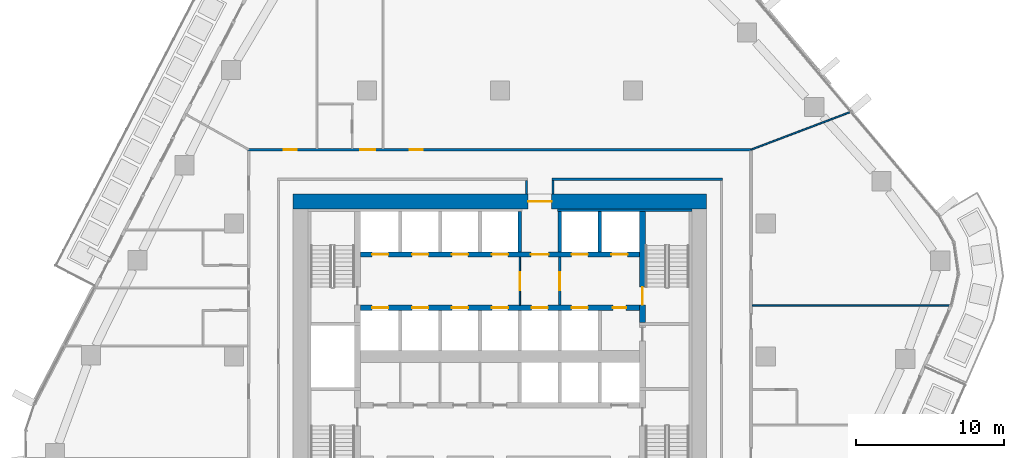
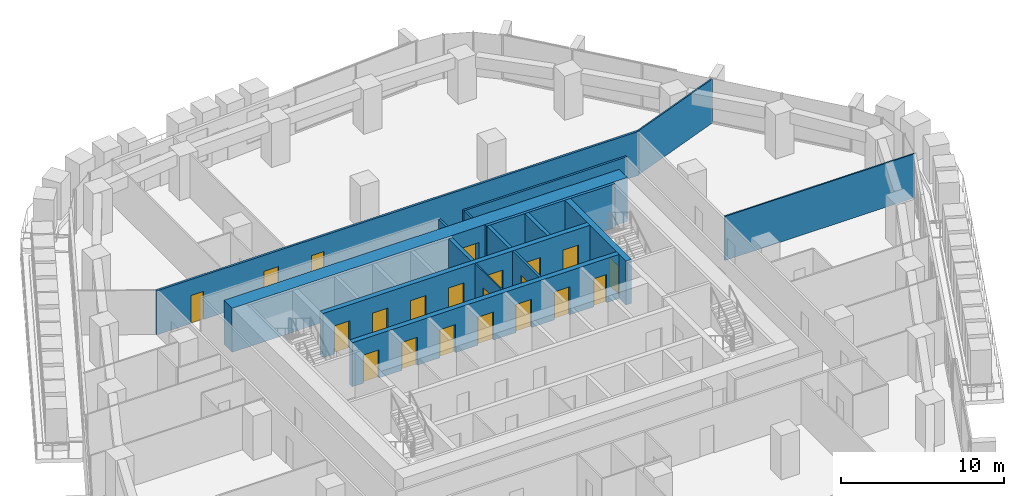
# One storey, part 16 of 23: 21 doors, 16 walls, 21 openings.
"""IFC4 building model written with IfcOpenShell, lengths in metres."""

from ifc_helpers import new_model, si_unit, direction, frame, frame_2d, origin, place, context, subcontext, project, spatial, rectangle, extrude, material, layer, layer_set, type_object, element, fill, save


model = new_model("IFC4")

# Units and contexts
model_context = context("Model", 3, precision=1e-05, world=origin(), true_north=direction((0.0, 1.0)))
body_context = subcontext(model_context, "Body", "Model", "MODEL_VIEW")
ifc_project = project(units=[si_unit("LENGTHUNIT", "METRE"), si_unit("AREAUNIT", "SQUARE_METRE"), si_unit("VOLUMEUNIT", "CUBIC_METRE"), si_unit("PLANEANGLEUNIT", "RADIAN"), si_unit("MASSUNIT", "GRAM", prefix="KILO")], contexts=[model_context])

# Site, building, storey
site_placement = place(None, origin())
site = spatial("IfcSite", under=ifc_project, at=site_placement, CompositionType="ELEMENT")
building_placement = place(site_placement, origin())
building = spatial("IfcBuilding", under=site, at=building_placement, Name="Dongbaek Canopy Tower", CompositionType="ELEMENT")
storey_placement = place(building_placement, frame((0.0, 0.0, 135.89990234375)))
storey = spatial("IfcBuildingStorey", under=building, at=storey_placement, Name="L30", CompositionType="ELEMENT", Elevation=135.89990234375)

# Wall, openings, doors
ifc_material_1 = material(Name="Concrete C60/75", Category="concrete")
ifc_layer_1 = layer(ifc_material_1, 0.35009765625)
ifc_layer_set_1 = layer_set([ifc_layer_1], Name="Core lobby wall 350 Concrete C60/75")
wall_type_1 = type_object("IfcWallType", Name="Core lobby wall 350 Concrete C60/75", PredefinedType="SHEAR", material=ifc_layer_set_1)
wall_1_placement = place(storey_placement, frame((-9.449951171875, 6.89990234375, 0.0), z_axis=(0.0, 0.0, 1.0), x_axis=(1.0, 0.0, 0.0)))
wall_1 = element("IfcWall", 1, at=wall_1_placement, inside=storey, type_object=wall_type_1, Name="Core wall", PredefinedType="SHEAR", context=body_context, shape_type="SweptSolid", body=[
    extrude(rectangle(XDim=18.89990234375, YDim=0.35009765625, at=frame_2d((9.449951171875, 0.0))), origin(), (0.0, 0.0, 1.0), 3.300048828125),
])
opening_1_placement = place(wall_1_placement, frame((0.800048828125, 0.0, 0.0)))
opening_1 = element("IfcOpeningElement", 2, at=opening_1_placement, cuts=wall_1, Name="Opening L30-D026", PredefinedType="OPENING", context=body_context, shape_type="SweptSolid", body=[
    extrude(rectangle(XDim=1.10009765625, YDim=2.10009765625, at=frame_2d((0.550048828125, 1.050048828125))), frame((0.0, 0.18505859375, 0.0), z_axis=(0.0, -1.0, 0.0), x_axis=(1.0, 0.0, 0.0)), (0.0, 0.0, 1.0), 0.3701171875),
])
opening_2_placement = place(wall_1_placement, frame((3.5, 0.0, 0.0)))
opening_2 = element("IfcOpeningElement", 3, at=opening_2_placement, cuts=wall_1, Name="Opening L30-D027", PredefinedType="OPENING", context=body_context, shape_type="SweptSolid", body=[
    extrude(rectangle(XDim=1.10009765625, YDim=2.10009765625, at=frame_2d((0.550048828125, 1.050048828125))), frame((0.0, 0.18505859375, 0.0), z_axis=(0.0, -1.0, 0.0), x_axis=(1.0, 0.0, 0.0)), (0.0, 0.0, 1.0), 0.3701171875),
])
opening_3_placement = place(wall_1_placement, frame((6.199951171875, 0.0, 0.0)))
opening_3 = element("IfcOpeningElement", 4, at=opening_3_placement, cuts=wall_1, Name="Opening L30-D028", PredefinedType="OPENING", context=body_context, shape_type="SweptSolid", body=[
    extrude(rectangle(XDim=1.10009765625, YDim=2.10009765625, at=frame_2d((0.550048828125, 1.050048828125))), frame((0.0, 0.18505859375, 0.0), z_axis=(0.0, -1.0, 0.0), x_axis=(1.0, 0.0, 0.0)), (0.0, 0.0, 1.0), 0.3701171875),
])
opening_4_placement = place(wall_1_placement, frame((8.89990234375, 0.0, 0.0)))
opening_4 = element("IfcOpeningElement", 5, at=opening_4_placement, cuts=wall_1, Name="Opening L30-D029", PredefinedType="OPENING", context=body_context, shape_type="SweptSolid", body=[
    extrude(rectangle(XDim=1.10009765625, YDim=2.10009765625, at=frame_2d((0.550048828125, 1.050048828125))), frame((0.0, 0.18505859375, 0.0), z_axis=(0.0, -1.0, 0.0), x_axis=(1.0, 0.0, 0.0)), (0.0, 0.0, 1.0), 0.3701171875),
])
opening_5_placement = place(wall_1_placement, frame((11.550048828125, 0.0, 0.0)))
opening_5 = element("IfcOpeningElement", 6, at=opening_5_placement, cuts=wall_1, Name="Opening L30-D031", PredefinedType="OPENING", context=body_context, shape_type="SweptSolid", body=[
    extrude(rectangle(XDim=1.199951171875, YDim=2.10009765625, at=frame_2d((0.60009765625, 1.050048828125))), frame((0.0, 0.18505859375, 0.0), z_axis=(0.0, -1.0, 0.0), x_axis=(1.0, 0.0, 0.0)), (0.0, 0.0, 1.0), 0.3701171875),
])
opening_6_placement = place(wall_1_placement, frame((14.300048828125, 0.0, 0.0)))
opening_6 = element("IfcOpeningElement", 7, at=opening_6_placement, cuts=wall_1, Name="Opening L30-D032", PredefinedType="OPENING", context=body_context, shape_type="SweptSolid", body=[
    extrude(rectangle(XDim=1.10009765625, YDim=2.10009765625, at=frame_2d((0.550048828125, 1.050048828125))), frame((0.0, 0.18505859375, 0.0), z_axis=(0.0, -1.0, 0.0), x_axis=(1.0, 0.0, 0.0)), (0.0, 0.0, 1.0), 0.3701171875),
])
opening_7_placement = place(wall_1_placement, frame((17.0, 0.0, 0.0)))
opening_7 = element("IfcOpeningElement", 8, at=opening_7_placement, cuts=wall_1, Name="Opening L30-D033", PredefinedType="OPENING", context=body_context, shape_type="SweptSolid", body=[
    extrude(rectangle(XDim=1.10009765625, YDim=2.10009765625, at=frame_2d((0.550048828125, 1.050048828125))), frame((0.0, 0.18505859375, 0.0), z_axis=(0.0, -1.0, 0.0), x_axis=(1.0, 0.0, 0.0)), (0.0, 0.0, 1.0), 0.3701171875),
])
ifc_material_2 = material(Name="Steel", Category="steel")
door_type_1 = type_object("IfcDoorType", Name="Fire lobby door 1200 x 2100", OperationType="SINGLE_SWING_LEFT", PredefinedType="DOOR", material=ifc_material_2)
door_1_placement = place(opening_5_placement, origin())
door_1 = element("IfcDoor", 9, at=door_1_placement, inside=storey, type_object=door_type_1, Name="Door L30-D031", OperationType="SINGLE_SWING_LEFT", OverallHeight=2.10009765625, OverallWidth=1.199951171875, PredefinedType="DOOR", context=body_context, shape_type="SweptSolid", body=[
    extrude(rectangle(XDim=1.199951171875, YDim=2.10009765625, at=frame_2d((0.60009765625, 1.050048828125))), frame((0.0, 0.02490234375, 0.0), z_axis=(0.0, -1.0, 0.0), x_axis=(1.0, 0.0, 0.0)), (0.0, 0.0, 1.0), 0.050048828125),
])
fill(opening_5, door_1)
ifc_material_3 = material(Name="Stainless steel", Category="steel")
door_type_2 = type_object("IfcDoorType", Name="Lift landing door 1100 x 2100", OperationType="DOUBLE_DOOR_SLIDING", PredefinedType="DOOR", material=ifc_material_3)
door_2_placement = place(opening_1_placement, origin())
door_2 = element("IfcDoor", 10, at=door_2_placement, inside=storey, type_object=door_type_2, Name="Landing door LR1", OperationType="DOUBLE_DOOR_SLIDING", OverallHeight=2.10009765625, OverallWidth=1.10009765625, PredefinedType="DOOR", context=body_context, shape_type="SweptSolid", body=[
    extrude(rectangle(XDim=1.10009765625, YDim=2.10009765625, at=frame_2d((0.550048828125, 1.050048828125))), frame((0.0, 0.02490234375, 0.0), z_axis=(0.0, -1.0, 0.0), x_axis=(1.0, 0.0, 0.0)), (0.0, 0.0, 1.0), 0.050048828125),
])
fill(opening_1, door_2)
door_3_placement = place(opening_2_placement, origin())
door_3 = element("IfcDoor", 11, at=door_3_placement, inside=storey, type_object=door_type_2, Name="Landing door LR2", OperationType="DOUBLE_DOOR_SLIDING", OverallHeight=2.10009765625, OverallWidth=1.10009765625, PredefinedType="DOOR", context=body_context, shape_type="SweptSolid", body=[
    extrude(rectangle(XDim=1.10009765625, YDim=2.10009765625, at=frame_2d((0.550048828125, 1.050048828125))), frame((0.0, 0.02490234375, 0.0), z_axis=(0.0, -1.0, 0.0), x_axis=(1.0, 0.0, 0.0)), (0.0, 0.0, 1.0), 0.050048828125),
])
fill(opening_2, door_3)
door_4_placement = place(opening_3_placement, origin())
door_4 = element("IfcDoor", 12, at=door_4_placement, inside=storey, type_object=door_type_2, Name="Landing door LR3", OperationType="DOUBLE_DOOR_SLIDING", OverallHeight=2.10009765625, OverallWidth=1.10009765625, PredefinedType="DOOR", context=body_context, shape_type="SweptSolid", body=[
    extrude(rectangle(XDim=1.10009765625, YDim=2.10009765625, at=frame_2d((0.550048828125, 1.050048828125))), frame((0.0, 0.02490234375, 0.0), z_axis=(0.0, -1.0, 0.0), x_axis=(1.0, 0.0, 0.0)), (0.0, 0.0, 1.0), 0.050048828125),
])
fill(opening_3, door_4)
door_5_placement = place(opening_4_placement, origin())
door_5 = element("IfcDoor", 13, at=door_5_placement, inside=storey, type_object=door_type_2, Name="Landing door LR4", OperationType="DOUBLE_DOOR_SLIDING", OverallHeight=2.10009765625, OverallWidth=1.10009765625, PredefinedType="DOOR", context=body_context, shape_type="SweptSolid", body=[
    extrude(rectangle(XDim=1.10009765625, YDim=2.10009765625, at=frame_2d((0.550048828125, 1.050048828125))), frame((0.0, 0.02490234375, 0.0), z_axis=(0.0, -1.0, 0.0), x_axis=(1.0, 0.0, 0.0)), (0.0, 0.0, 1.0), 0.050048828125),
])
fill(opening_4, door_5)
door_6_placement = place(opening_6_placement, origin())
door_6 = element("IfcDoor", 14, at=door_6_placement, inside=storey, type_object=door_type_2, Name="Landing door FF1", OperationType="DOUBLE_DOOR_SLIDING", OverallHeight=2.10009765625, OverallWidth=1.10009765625, PredefinedType="DOOR", context=body_context, shape_type="SweptSolid", body=[
    extrude(rectangle(XDim=1.10009765625, YDim=2.10009765625, at=frame_2d((0.550048828125, 1.050048828125))), frame((0.0, 0.02490234375, 0.0), z_axis=(0.0, -1.0, 0.0), x_axis=(1.0, 0.0, 0.0)), (0.0, 0.0, 1.0), 0.050048828125),
])
fill(opening_6, door_6)
door_7_placement = place(opening_7_placement, origin())
door_7 = element("IfcDoor", 15, at=door_7_placement, inside=storey, type_object=door_type_2, Name="Landing door FF2", OperationType="DOUBLE_DOOR_SLIDING", OverallHeight=2.10009765625, OverallWidth=1.10009765625, PredefinedType="DOOR", context=body_context, shape_type="SweptSolid", body=[
    extrude(rectangle(XDim=1.10009765625, YDim=2.10009765625, at=frame_2d((0.550048828125, 1.050048828125))), frame((0.0, 0.02490234375, 0.0), z_axis=(0.0, -1.0, 0.0), x_axis=(1.0, 0.0, 0.0)), (0.0, 0.0, 1.0), 0.050048828125),
])
fill(opening_7, door_7)

wall_2_placement = place(storey_placement, frame((9.449951171875, 3.300048828125, 0.0), z_axis=(0.0, 0.0, 1.0), x_axis=(-1.0, 0.0, 0.0)))
wall_2 = element("IfcWall", 16, at=wall_2_placement, inside=storey, type_object=wall_type_1, Name="Core wall", PredefinedType="SHEAR", context=body_context, shape_type="SweptSolid", body=[
    extrude(rectangle(XDim=18.89990234375, YDim=0.35009765625, at=frame_2d((9.449951171875, 0.0))), origin(), (0.0, 0.0, 1.0), 3.300048828125),
])
opening_8_placement = place(wall_2_placement, frame((17.0, 0.0, 0.0)))
opening_8 = element("IfcOpeningElement", 17, at=opening_8_placement, cuts=wall_2, Name="Opening L30-D034", PredefinedType="OPENING", context=body_context, shape_type="SweptSolid", body=[
    extrude(rectangle(XDim=1.10009765625, YDim=2.10009765625, at=frame_2d((0.550048828125, 1.050048828125))), frame((0.0, 0.18505859375, 0.0), z_axis=(0.0, -1.0, 0.0), x_axis=(1.0, 0.0, 0.0)), (0.0, 0.0, 1.0), 0.3701171875),
])
opening_9_placement = place(wall_2_placement, frame((14.300048828125, 0.0, 0.0)))
opening_9 = element("IfcOpeningElement", 18, at=opening_9_placement, cuts=wall_2, Name="Opening L30-D035", PredefinedType="OPENING", context=body_context, shape_type="SweptSolid", body=[
    extrude(rectangle(XDim=1.10009765625, YDim=2.10009765625, at=frame_2d((0.550048828125, 1.050048828125))), frame((0.0, 0.18505859375, 0.0), z_axis=(0.0, -1.0, 0.0), x_axis=(1.0, 0.0, 0.0)), (0.0, 0.0, 1.0), 0.3701171875),
])
opening_10_placement = place(wall_2_placement, frame((11.60009765625, 0.0, 0.0)))
opening_10 = element("IfcOpeningElement", 19, at=opening_10_placement, cuts=wall_2, Name="Opening L30-D036", PredefinedType="OPENING", context=body_context, shape_type="SweptSolid", body=[
    extrude(rectangle(XDim=1.10009765625, YDim=2.10009765625, at=frame_2d((0.550048828125, 1.050048828125))), frame((0.0, 0.18505859375, 0.0), z_axis=(0.0, -1.0, 0.0), x_axis=(1.0, 0.0, 0.0)), (0.0, 0.0, 1.0), 0.3701171875),
])
opening_11_placement = place(wall_2_placement, frame((8.89990234375, 0.0, 0.0)))
opening_11 = element("IfcOpeningElement", 20, at=opening_11_placement, cuts=wall_2, Name="Opening L30-D037", PredefinedType="OPENING", context=body_context, shape_type="SweptSolid", body=[
    extrude(rectangle(XDim=1.10009765625, YDim=2.10009765625, at=frame_2d((0.550048828125, 1.050048828125))), frame((0.0, 0.18505859375, 0.0), z_axis=(0.0, -1.0, 0.0), x_axis=(1.0, 0.0, 0.0)), (0.0, 0.0, 1.0), 0.3701171875),
])
opening_12_placement = place(wall_2_placement, frame((6.199951171875, 0.0, 0.0)))
opening_12 = element("IfcOpeningElement", 21, at=opening_12_placement, cuts=wall_2, Name="Opening L30-D038", PredefinedType="OPENING", context=body_context, shape_type="SweptSolid", body=[
    extrude(rectangle(XDim=1.10009765625, YDim=2.10009765625, at=frame_2d((0.550048828125, 1.050048828125))), frame((0.0, 0.18505859375, 0.0), z_axis=(0.0, -1.0, 0.0), x_axis=(1.0, 0.0, 0.0)), (0.0, 0.0, 1.0), 0.3701171875),
])
opening_13_placement = place(wall_2_placement, frame((3.5, 0.0, 0.0)))
opening_13 = element("IfcOpeningElement", 22, at=opening_13_placement, cuts=wall_2, Name="Opening L30-D039", PredefinedType="OPENING", context=body_context, shape_type="SweptSolid", body=[
    extrude(rectangle(XDim=1.10009765625, YDim=2.10009765625, at=frame_2d((0.550048828125, 1.050048828125))), frame((0.0, 0.18505859375, 0.0), z_axis=(0.0, -1.0, 0.0), x_axis=(1.0, 0.0, 0.0)), (0.0, 0.0, 1.0), 0.3701171875),
])
opening_14_placement = place(wall_2_placement, frame((0.89990234375, 0.0, 0.0)))
opening_14 = element("IfcOpeningElement", 23, at=opening_14_placement, cuts=wall_2, Name="Opening L30-D040", PredefinedType="OPENING", context=body_context, shape_type="SweptSolid", body=[
    extrude(rectangle(XDim=0.89990234375, YDim=2.10009765625, at=frame_2d((0.449951171875, 1.050048828125))), frame((0.0, 0.18505859375, 0.0), z_axis=(0.0, -1.0, 0.0), x_axis=(1.0, 0.0, 0.0)), (0.0, 0.0, 1.0), 0.3701171875),
])
ifc_material_4 = material(Name="Steel", Category="steel")
door_type_3 = type_object("IfcDoorType", Name="Core room door 900 x 2100", OperationType="SINGLE_SWING_LEFT", PredefinedType="DOOR", material=ifc_material_4)
door_8_placement = place(opening_14_placement, origin())
door_8 = element("IfcDoor", 24, at=door_8_placement, inside=storey, type_object=door_type_3, Name="Door L30-D040", OperationType="SINGLE_SWING_LEFT", OverallHeight=2.10009765625, OverallWidth=0.89990234375, PredefinedType="DOOR", context=body_context, shape_type="SweptSolid", body=[
    extrude(rectangle(XDim=0.89990234375, YDim=2.10009765625, at=frame_2d((0.449951171875, 1.050048828125))), frame((0.0, 0.02490234375, 0.0), z_axis=(0.0, -1.0, 0.0), x_axis=(1.0, 0.0, 0.0)), (0.0, 0.0, 1.0), 0.050048828125),
])
fill(opening_14, door_8)
door_9_placement = place(opening_8_placement, origin())
door_9 = element("IfcDoor", 25, at=door_9_placement, inside=storey, type_object=door_type_2, Name="Landing door LR5", OperationType="DOUBLE_DOOR_SLIDING", OverallHeight=2.10009765625, OverallWidth=1.10009765625, PredefinedType="DOOR", context=body_context, shape_type="SweptSolid", body=[
    extrude(rectangle(XDim=1.10009765625, YDim=2.10009765625, at=frame_2d((0.550048828125, 1.050048828125))), frame((0.0, 0.02490234375, 0.0), z_axis=(0.0, -1.0, 0.0), x_axis=(1.0, 0.0, 0.0)), (0.0, 0.0, 1.0), 0.050048828125),
])
fill(opening_8, door_9)
door_10_placement = place(opening_9_placement, origin())
door_10 = element("IfcDoor", 26, at=door_10_placement, inside=storey, type_object=door_type_2, Name="Landing door LR6", OperationType="DOUBLE_DOOR_SLIDING", OverallHeight=2.10009765625, OverallWidth=1.10009765625, PredefinedType="DOOR", context=body_context, shape_type="SweptSolid", body=[
    extrude(rectangle(XDim=1.10009765625, YDim=2.10009765625, at=frame_2d((0.550048828125, 1.050048828125))), frame((0.0, 0.02490234375, 0.0), z_axis=(0.0, -1.0, 0.0), x_axis=(1.0, 0.0, 0.0)), (0.0, 0.0, 1.0), 0.050048828125),
])
fill(opening_9, door_10)
door_11_placement = place(opening_10_placement, origin())
door_11 = element("IfcDoor", 27, at=door_11_placement, inside=storey, type_object=door_type_2, Name="Landing door LR7", OperationType="DOUBLE_DOOR_SLIDING", OverallHeight=2.10009765625, OverallWidth=1.10009765625, PredefinedType="DOOR", context=body_context, shape_type="SweptSolid", body=[
    extrude(rectangle(XDim=1.10009765625, YDim=2.10009765625, at=frame_2d((0.550048828125, 1.050048828125))), frame((0.0, 0.02490234375, 0.0), z_axis=(0.0, -1.0, 0.0), x_axis=(1.0, 0.0, 0.0)), (0.0, 0.0, 1.0), 0.050048828125),
])
fill(opening_10, door_11)
door_12_placement = place(opening_11_placement, origin())
door_12 = element("IfcDoor", 28, at=door_12_placement, inside=storey, type_object=door_type_2, Name="Landing door LR8", OperationType="DOUBLE_DOOR_SLIDING", OverallHeight=2.10009765625, OverallWidth=1.10009765625, PredefinedType="DOOR", context=body_context, shape_type="SweptSolid", body=[
    extrude(rectangle(XDim=1.10009765625, YDim=2.10009765625, at=frame_2d((0.550048828125, 1.050048828125))), frame((0.0, 0.02490234375, 0.0), z_axis=(0.0, -1.0, 0.0), x_axis=(1.0, 0.0, 0.0)), (0.0, 0.0, 1.0), 0.050048828125),
])
fill(opening_11, door_12)
door_13_placement = place(opening_12_placement, origin())
door_13 = element("IfcDoor", 29, at=door_13_placement, inside=storey, type_object=door_type_2, Name="Landing door SV1", OperationType="DOUBLE_DOOR_SLIDING", OverallHeight=2.10009765625, OverallWidth=1.10009765625, PredefinedType="DOOR", context=body_context, shape_type="SweptSolid", body=[
    extrude(rectangle(XDim=1.10009765625, YDim=2.10009765625, at=frame_2d((0.550048828125, 1.050048828125))), frame((0.0, 0.02490234375, 0.0), z_axis=(0.0, -1.0, 0.0), x_axis=(1.0, 0.0, 0.0)), (0.0, 0.0, 1.0), 0.050048828125),
])
fill(opening_12, door_13)
door_14_placement = place(opening_13_placement, origin())
door_14 = element("IfcDoor", 30, at=door_14_placement, inside=storey, type_object=door_type_2, Name="Landing door FF3", OperationType="DOUBLE_DOOR_SLIDING", OverallHeight=2.10009765625, OverallWidth=1.10009765625, PredefinedType="DOOR", context=body_context, shape_type="SweptSolid", body=[
    extrude(rectangle(XDim=1.10009765625, YDim=2.10009765625, at=frame_2d((0.550048828125, 1.050048828125))), frame((0.0, 0.02490234375, 0.0), z_axis=(0.0, -1.0, 0.0), x_axis=(1.0, 0.0, 0.0)), (0.0, 0.0, 1.0), 0.050048828125),
])
fill(opening_13, door_14)

# Wall, opening, door
ifc_material_5 = material(Name="Concrete C60/75", Category="concrete")
ifc_layer_2 = layer(ifc_material_5, 1.0)
ifc_layer_set_2 = layer_set([ifc_layer_2], Name="Core outer wall 1000 Concrete C60/75")
wall_type_2 = type_object("IfcWallType", Name="Core outer wall 1000 Concrete C60/75", PredefinedType="SHEAR", material=ifc_layer_set_2)
wall_3_placement = place(storey_placement, frame((-14.0, 10.5, 0.0), z_axis=(0.0, 0.0, 1.0), x_axis=(1.0, 0.0, 0.0)))
wall_3 = element("IfcWall", 31, at=wall_3_placement, inside=storey, type_object=wall_type_2, Name="Core wall", PredefinedType="SHEAR", context=body_context, shape_type="SweptSolid", body=[
    extrude(rectangle(XDim=28.0, YDim=1.0, at=frame_2d((14.0, 0.0))), origin(), (0.0, 0.0, 1.0), 3.300048828125),
])
opening_15_placement = place(wall_3_placement, frame((15.89990234375, 0.0, 0.0)))
opening_15 = element("IfcOpeningElement", 32, at=opening_15_placement, cuts=wall_3, Name="Opening L30-D030", PredefinedType="OPENING", context=body_context, shape_type="SweptSolid", body=[
    extrude(rectangle(XDim=1.60009765625, YDim=2.10009765625, at=frame_2d((0.800048828125, 1.050048828125))), frame((0.0, 0.510009765625, 0.0), z_axis=(0.0, -1.0, 0.0), x_axis=(1.0, 0.0, 0.0)), (0.0, 0.0, 1.0), 1.02001953125),
])
ifc_material_6 = material(Name="Steel", Category="steel")
door_type_4 = type_object("IfcDoorType", Name="Core exit door 1600 x 2100", OperationType="DOUBLE_DOOR_SINGLE_SWING", PredefinedType="DOOR", material=ifc_material_6)
door_15_placement = place(opening_15_placement, origin())
door_15 = element("IfcDoor", 33, at=door_15_placement, inside=storey, type_object=door_type_4, Name="Core exit door", OperationType="DOUBLE_DOOR_SINGLE_SWING", OverallHeight=2.10009765625, OverallWidth=1.60009765625, PredefinedType="DOOR", context=body_context, shape_type="SweptSolid", body=[
    extrude(rectangle(XDim=1.60009765625, YDim=2.10009765625, at=frame_2d((0.800048828125, 1.050048828125))), frame((0.0, 0.02490234375, 0.0), z_axis=(0.0, -1.0, 0.0), x_axis=(1.0, 0.0, 0.0)), (0.0, 0.0, 1.0), 0.050048828125),
])
fill(opening_15, door_15)

# Walls
ifc_material_7 = material(Name="Concrete C60/75", Category="concrete")
ifc_layer_3 = layer(ifc_material_7, 0.199951171875)
ifc_layer_set_3 = layer_set([ifc_layer_3], Name="Core wall lining 200 Concrete C60/75")
wall_type_3 = type_object("IfcWallType", Name="Core wall lining 200 Concrete C60/75", PredefinedType="SHEAR", material=ifc_layer_set_3)
wall_4_placement = place(storey_placement, frame((3.89990234375, 9.89990234375, 0.0), z_axis=(0.0, 0.0, 1.0), x_axis=(1.0, 0.0, 0.0)))
element("IfcWall", 34, at=wall_4_placement, inside=storey, type_object=wall_type_3, Name="Core wall lining", PredefinedType="SHEAR", context=body_context, shape_type="SweptSolid", body=[
    extrude(rectangle(XDim=9.10009765625, YDim=0.199951171875, at=frame_2d((4.550048828125, 0.0))), origin(), (0.0, 0.0, 1.0), 3.300048828125),
])
ifc_material_8 = material(Name="Gypsum board partition, steel stud, 2 x 15 mm fire board", Category="steel")
ifc_layer_4 = layer(ifc_material_8, 0.14990234375)
ifc_layer_set_4 = layer_set([ifc_layer_4], Name="Fire-rated partition 150 gypsum board")
wall_type_4 = type_object("IfcWallType", Name="Fire-rated partition 150 gypsum board", PredefinedType="PARTITIONING", material=ifc_layer_set_4)
wall_5_placement = place(storey_placement, frame((3.52490234375, 12.0, 0.0), z_axis=(0.0, 0.0, 1.0), x_axis=(1.0, 0.0, 0.0)))
element("IfcWall", 35, at=wall_5_placement, inside=storey, type_object=wall_type_4, Name="Corridor partition", PredefinedType="PARTITIONING", context=body_context, shape_type="SweptSolid", body=[
    extrude(rectangle(XDim=11.550048828125, YDim=0.14990234375, at=frame_2d((5.77490234375, 0.0))), origin(), (0.0, 0.0, 1.0), 3.300048828125),
])

# Wall, openings, doors
wall_6_placement = place(storey_placement, frame((-17.074951171875, 14.0, 0.0), z_axis=(0.0, 0.0, 1.0), x_axis=(1.0, 0.0, 0.0)))
wall_6 = element("IfcWall", 36, at=wall_6_placement, inside=storey, type_object=wall_type_4, Name="Corridor partition", PredefinedType="PARTITIONING", context=body_context, shape_type="SweptSolid", body=[
    extrude(rectangle(XDim=34.14990234375, YDim=0.14990234375, at=frame_2d((17.074951171875, 0.0))), origin(), (0.0, 0.0, 1.0), 3.300048828125),
])
opening_16_placement = place(wall_6_placement, frame((10.953857421875, 0.0, 0.0)))
opening_16 = element("IfcOpeningElement", 37, at=opening_16_placement, cuts=wall_6, Name="Opening L30-D014", PredefinedType="OPENING", context=body_context, shape_type="SweptSolid", body=[
    extrude(rectangle(XDim=0.89990234375, YDim=2.10009765625, at=frame_2d((0.449951171875, 1.050048828125))), frame((0.0, 0.0849609375, 0.0), z_axis=(0.0, -1.0, 0.0), x_axis=(1.0, 0.0, 0.0)), (0.0, 0.0, 1.0), 0.169921875),
])
opening_17_placement = place(wall_6_placement, frame((7.617431640625, 0.0, 0.0)))
opening_17 = element("IfcOpeningElement", 38, at=opening_17_placement, cuts=wall_6, Name="Opening L30-D016", PredefinedType="OPENING", context=body_context, shape_type="SweptSolid", body=[
    extrude(rectangle(XDim=1.0, YDim=2.10009765625, at=frame_2d((0.5, 1.050048828125))), frame((0.0, 0.0849609375, 0.0), z_axis=(0.0, -1.0, 0.0), x_axis=(1.0, 0.0, 0.0)), (0.0, 0.0, 1.0), 0.169921875),
])
opening_18_placement = place(wall_6_placement, frame((2.42529296875, 0.0, 0.0)))
opening_18 = element("IfcOpeningElement", 39, at=opening_18_placement, cuts=wall_6, Name="Opening L30-D017", PredefinedType="OPENING", context=body_context, shape_type="SweptSolid", body=[
    extrude(rectangle(XDim=0.89990234375, YDim=2.10009765625, at=frame_2d((0.449951171875, 1.050048828125))), frame((0.0, 0.0849609375, 0.0), z_axis=(0.0, -1.0, 0.0), x_axis=(1.0, 0.0, 0.0)), (0.0, 0.0, 1.0), 0.169921875),
])
ifc_material_9 = material(Name="Timber veneered door leaf", Category="wood")
door_type_5 = type_object("IfcDoorType", Name="Guest room door 1000 x 2100", OperationType="SINGLE_SWING_LEFT", PredefinedType="DOOR", material=ifc_material_9)
door_16_placement = place(opening_17_placement, origin())
door_16 = element("IfcDoor", 40, at=door_16_placement, inside=storey, type_object=door_type_5, Name="Door L30-D016", OperationType="SINGLE_SWING_LEFT", OverallHeight=2.10009765625, OverallWidth=1.0, PredefinedType="DOOR", context=body_context, shape_type="SweptSolid", body=[
    extrude(rectangle(XDim=1.0, YDim=2.10009765625, at=frame_2d((0.5, 1.050048828125))), frame((0.0, 0.02490234375, 0.0), z_axis=(0.0, -1.0, 0.0), x_axis=(1.0, 0.0, 0.0)), (0.0, 0.0, 1.0), 0.050048828125),
])
fill(opening_17, door_16)
ifc_material_10 = material(Name="Timber veneered door leaf", Category="wood")
door_type_6 = type_object("IfcDoorType", Name="Room door 900 x 2100", OperationType="SINGLE_SWING_LEFT", PredefinedType="DOOR", material=ifc_material_10)
door_17_placement = place(opening_16_placement, origin())
door_17 = element("IfcDoor", 41, at=door_17_placement, inside=storey, type_object=door_type_6, Name="Door L30-D014", OperationType="SINGLE_SWING_RIGHT", OverallHeight=2.10009765625, OverallWidth=0.89990234375, PredefinedType="DOOR", context=body_context, shape_type="SweptSolid", body=[
    extrude(rectangle(XDim=0.89990234375, YDim=2.10009765625, at=frame_2d((0.449951171875, 1.050048828125))), frame((0.0, 0.02490234375, 0.0), z_axis=(0.0, -1.0, 0.0), x_axis=(1.0, 0.0, 0.0)), (0.0, 0.0, 1.0), 0.050048828125),
])
fill(opening_16, door_17)
door_18_placement = place(opening_18_placement, origin())
door_18 = element("IfcDoor", 42, at=door_18_placement, inside=storey, type_object=door_type_6, Name="Door L30-D017", OperationType="SINGLE_SWING_RIGHT", OverallHeight=2.10009765625, OverallWidth=0.89990234375, PredefinedType="DOOR", context=body_context, shape_type="SweptSolid", body=[
    extrude(rectangle(XDim=0.89990234375, YDim=2.10009765625, at=frame_2d((0.449951171875, 1.050048828125))), frame((0.0, 0.02490234375, 0.0), z_axis=(0.0, -1.0, 0.0), x_axis=(1.0, 0.0, 0.0)), (0.0, 0.0, 1.0), 0.050048828125),
])
fill(opening_18, door_18)

# Walls
for number, where, z_axis, x_axis, name in (
    (43, (3.60009765625, 11.0, 0.0), (0.0, 0.0, 1.0), (0.0, 1.0, 0.0), "Corridor partition"),
    (44, (1.800048828125, 11.0, 0.0), (0.0, 0.0, 1.0), (0.0, 1.0, 0.0), "Corridor partition"),
):
    element("IfcWall", number, at=place(storey_placement, frame(where, z_axis=z_axis, x_axis=x_axis)), inside=storey, type_object=wall_type_4, Name=name, PredefinedType="PARTITIONING", context=body_context, shape_type="SweptSolid", body=[
        extrude(rectangle(XDim=0.925048828125, YDim=0.14990234375, at=frame_2d((0.46240234375, 0.0))), origin(), (0.0, 0.0, 1.0), 3.300048828125),
    ])

# Wall, opening, door
wall_7_placement = place(storey_placement, frame((4.050048828125, 6.72509765625, 0.0), z_axis=(0.0, 0.0, 1.0), x_axis=(0.0, -1.0, 0.0)))
wall_7 = element("IfcWall", 45, at=wall_7_placement, inside=storey, type_object=wall_type_4, Name="Fire lobby partition", PredefinedType="PARTITIONING", context=body_context, shape_type="SweptSolid", body=[
    extrude(rectangle(XDim=3.25, YDim=0.14990234375, at=frame_2d((1.625, 0.0))), origin(), (0.0, 0.0, 1.0), 3.300048828125),
])
opening_19_placement = place(wall_7_placement, frame((1.02490234375, 0.0, 0.0)))
opening_19 = element("IfcOpeningElement", 46, at=opening_19_placement, cuts=wall_7, Name="Opening L30-D056", PredefinedType="OPENING", context=body_context, shape_type="SweptSolid", body=[
    extrude(rectangle(XDim=1.199951171875, YDim=2.10009765625, at=frame_2d((0.60009765625, 1.050048828125))), frame((0.0, 0.0849609375, 0.0), z_axis=(0.0, -1.0, 0.0), x_axis=(1.0, 0.0, 0.0)), (0.0, 0.0, 1.0), 0.169921875),
])
door_19_placement = place(opening_19_placement, origin())
door_19 = element("IfcDoor", 47, at=door_19_placement, inside=storey, type_object=door_type_1, Name="Door L30-D056", OperationType="SINGLE_SWING_RIGHT", OverallHeight=2.10009765625, OverallWidth=1.199951171875, PredefinedType="DOOR", context=body_context, shape_type="SweptSolid", body=[
    extrude(rectangle(XDim=1.199951171875, YDim=2.10009765625, at=frame_2d((0.60009765625, 1.050048828125))), frame((0.0, 0.02490234375, 0.0), z_axis=(0.0, -1.0, 0.0), x_axis=(1.0, 0.0, 0.0)), (0.0, 0.0, 1.0), 0.050048828125),
])
fill(opening_19, door_19)

# Walls
ifc_material_11 = material(Name="Concrete C40/50", Category="concrete")
ifc_layer_5 = layer(ifc_material_11, 0.25)
ifc_layer_set_5 = layer_set([ifc_layer_5], Name="Lift shaft wall 250 Concrete C40/50")
wall_type_5 = type_object("IfcWallType", Name="Lift shaft wall 250 Concrete C40/50", PredefinedType="SOLIDWALL", material=ifc_layer_set_5)
for number, where, z_axis, x_axis, name in (
    (48, (6.75, 7.074951171875, 0.0), (0.0, 0.0, 1.0), (0.0, 1.0, 0.0), "Lift shaft wall"),
    (49, (4.050048828125, 7.074951171875, 0.0), (0.0, 0.0, 1.0), (0.0, 1.0, 0.0), "Lift shaft wall"),
    (50, (1.35009765625, 7.074951171875, 0.0), (0.0, 0.0, 1.0), (0.0, 1.0, 0.0), "Lift shaft wall"),
):
    element("IfcWall", number, at=place(storey_placement, frame(where, z_axis=z_axis, x_axis=x_axis)), inside=storey, type_object=wall_type_5, Name=name, PredefinedType="SOLIDWALL", context=body_context, shape_type="SweptSolid", body=[
        extrude(rectangle(XDim=2.72509765625, YDim=0.25, at=frame_2d((1.362548828125, 0.0))), origin(), (0.0, 0.0, 1.0), 3.300048828125),
    ])
ifc_material_12 = material(Name="Gypsum board partition, steel stud, 2 x 12.5 mm board", Category="steel")
ifc_layer_6 = layer(ifc_material_12, 0.10009765625)
ifc_layer_set_6 = layer_set([ifc_layer_6], Name="Partition 100 gypsum board")
wall_type_6 = type_object("IfcWallType", Name="Partition 100 gypsum board", PredefinedType="PARTITIONING", material=ifc_layer_set_6)
wall_8_placement = place(storey_placement, frame((17.074951171875, 3.43798828125, 0.0), z_axis=(0.0, 0.0, 1.0), x_axis=(1.0, 0.0, 0.0)))
element("IfcWall", 51, at=wall_8_placement, inside=storey, type_object=wall_type_6, Name="Partition", PredefinedType="PARTITIONING", context=body_context, shape_type="SweptSolid", body=[
    extrude(rectangle(XDim=13.436279296875, YDim=0.10009765625, at=frame_2d((6.71826171875, 0.0))), origin(), (0.0, 0.0, 1.0), 3.300048828125),
])
wall_9_placement = place(storey_placement, frame((17.0, 14.0, 0.0), z_axis=(0.0, 0.0, 1.0), x_axis=(0.934953139897, 0.354771230791, 0.0)))
element("IfcWall", 52, at=wall_9_placement, inside=storey, type_object=wall_type_6, Name="Partition", PredefinedType="PARTITIONING", context=body_context, shape_type="SweptSolid", body=[
    extrude(rectangle(XDim=7.23388671875, YDim=0.10009765625, at=frame_2d((3.616943359375, 0.0))), origin(), (0.0, 0.0, 1.0), 3.300048828125),
])

# Wall, opening, door
wall_10_placement = place(storey_placement, frame((1.35009765625, 6.72509765625, 0.0), z_axis=(0.0, 0.0, 1.0), x_axis=(0.0, -1.0, 0.0)))
wall_10 = element("IfcWall", 53, at=wall_10_placement, inside=storey, type_object=wall_type_6, Name="Core partition", PredefinedType="PARTITIONING", context=body_context, shape_type="SweptSolid", body=[
    extrude(rectangle(XDim=3.25, YDim=0.10009765625, at=frame_2d((1.625, 0.0))), origin(), (0.0, 0.0, 1.0), 3.300048828125),
])
opening_20_placement = place(wall_10_placement, frame((1.02490234375, 0.0, 0.0)))
opening_20 = element("IfcOpeningElement", 54, at=opening_20_placement, cuts=wall_10, Name="Opening L30-D055", PredefinedType="OPENING", context=body_context, shape_type="SweptSolid", body=[
    extrude(rectangle(XDim=1.199951171875, YDim=2.10009765625, at=frame_2d((0.60009765625, 1.050048828125))), frame((0.0, 0.06005859375, 0.0), z_axis=(0.0, -1.0, 0.0), x_axis=(1.0, 0.0, 0.0)), (0.0, 0.0, 1.0), 0.1201171875),
])
door_20_placement = place(opening_20_placement, origin())
door_20 = element("IfcDoor", 55, at=door_20_placement, inside=storey, type_object=door_type_1, Name="Door L30-D055", OperationType="SINGLE_SWING_LEFT", OverallHeight=2.10009765625, OverallWidth=1.199951171875, PredefinedType="DOOR", context=body_context, shape_type="SweptSolid", body=[
    extrude(rectangle(XDim=1.199951171875, YDim=2.10009765625, at=frame_2d((0.60009765625, 1.050048828125))), frame((0.0, 0.02490234375, 0.0), z_axis=(0.0, -1.0, 0.0), x_axis=(1.0, 0.0, 0.0)), (0.0, 0.0, 1.0), 0.050048828125),
])
fill(opening_20, door_20)

ifc_material_13 = material(Name="Concrete C60/75", Category="concrete")
ifc_layer_7 = layer(ifc_material_13, 0.39990234375)
ifc_layer_set_7 = layer_set([ifc_layer_7], Name="Stair wall 400 Concrete C60/75")
wall_type_7 = type_object("IfcWallType", Name="Stair wall 400 Concrete C60/75", PredefinedType="SHEAR", material=ifc_layer_set_7)
wall_11_placement = place(storey_placement, frame((9.64990234375, 9.800048828125, 0.0), z_axis=(0.0, 0.0, 1.0), x_axis=(0.0, -1.0, 0.0)))
wall_11 = element("IfcWall", 56, at=wall_11_placement, inside=storey, type_object=wall_type_7, Name="Stair wall", PredefinedType="SHEAR", context=body_context, shape_type="SweptSolid", body=[
    extrude(rectangle(XDim=7.5, YDim=0.39990234375, at=frame_2d((3.75, 0.0))), origin(), (0.0, 0.0, 1.0), 3.300048828125),
])
opening_21_placement = place(wall_11_placement, frame((5.10009765625, 0.0, 0.0)))
opening_21 = element("IfcOpeningElement", 57, at=opening_21_placement, cuts=wall_11, Name="Opening L30-D051", PredefinedType="OPENING", context=body_context, shape_type="SweptSolid", body=[
    extrude(rectangle(XDim=1.199951171875, YDim=2.10009765625, at=frame_2d((0.60009765625, 1.050048828125))), frame((0.0, 0.2099609375, 0.0), z_axis=(0.0, -1.0, 0.0), x_axis=(1.0, 0.0, 0.0)), (0.0, 0.0, 1.0), 0.419921875),
])
ifc_material_14 = material(Name="Steel", Category="steel")
door_type_7 = type_object("IfcDoorType", Name="Stair door 1200 x 2100", OperationType="SINGLE_SWING_LEFT", PredefinedType="DOOR", material=ifc_material_14)
door_21_placement = place(opening_21_placement, origin())
door_21 = element("IfcDoor", 58, at=door_21_placement, inside=storey, type_object=door_type_7, Name="Stair A door", OperationType="SINGLE_SWING_LEFT", OverallHeight=2.10009765625, OverallWidth=1.199951171875, PredefinedType="DOOR", context=body_context, shape_type="SweptSolid", body=[
    extrude(rectangle(XDim=1.199951171875, YDim=2.10009765625, at=frame_2d((0.60009765625, 1.050048828125))), frame((0.0, 0.02490234375, 0.0), z_axis=(0.0, -1.0, 0.0), x_axis=(1.0, 0.0, 0.0)), (0.0, 0.0, 1.0), 0.050048828125),
])
fill(opening_21, door_21)

save(model, "model.ifc")
